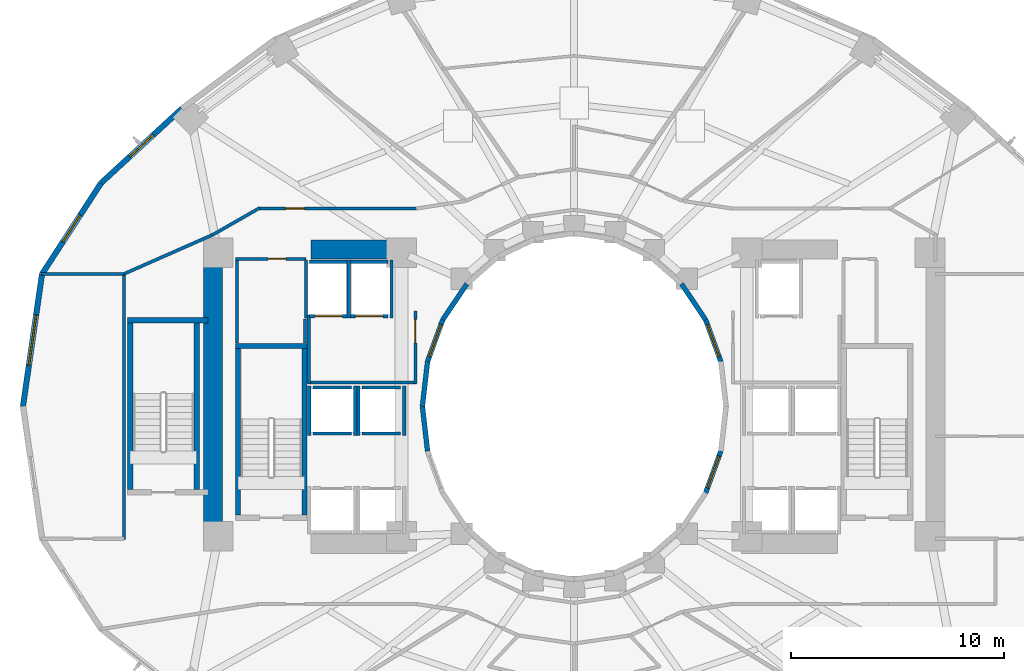
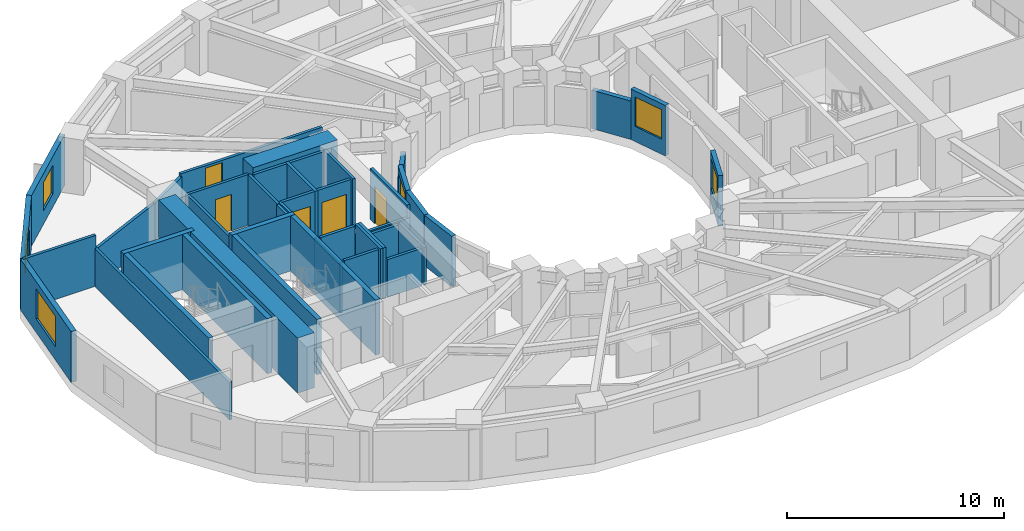
# One storey, part 8 of 14: 44 walls, 6 windows, 5 doors, 11 openings.
"""IFC4 building model written with IfcOpenShell, lengths in metres."""

from ifc_helpers import new_model, si_unit, direction, frame, frame_2d, origin, place, context, subcontext, project, spatial, rectangle, extrude, material, layer, layer_set, type_object, element, fill, save


model = new_model("IFC4")

# Units and contexts
model_context = context("Model", 3, precision=1e-05, world=origin(), true_north=direction((0.0, 1.0)))
body_context = subcontext(model_context, "Body", "Model", "MODEL_VIEW")
ifc_project = project(units=[si_unit("LENGTHUNIT", "METRE"), si_unit("AREAUNIT", "SQUARE_METRE"), si_unit("VOLUMEUNIT", "CUBIC_METRE"), si_unit("PLANEANGLEUNIT", "RADIAN"), si_unit("MASSUNIT", "GRAM", prefix="KILO")], contexts=[model_context])

# Site, building, storey
site_placement = place(None, origin())
site = spatial("IfcSite", under=ifc_project, at=site_placement, CompositionType="ELEMENT")
building_placement = place(site_placement, origin())
building = spatial("IfcBuilding", under=site, at=building_placement, Name="Solvane Sanctuary Tower", CompositionType="ELEMENT")
storey_placement = place(building_placement, frame((0.0, 0.0, 36.89990234375)))
storey = spatial("IfcBuildingStorey", under=building, at=storey_placement, Name="L10", CompositionType="ELEMENT", Elevation=36.89990234375)

# Walls
ifc_material_1 = material(Name="Concrete C70/85", Category="concrete")
ifc_layer_1 = layer(ifc_material_1, 0.89990234375, Name="Concrete C70/85")
ifc_layer_set_1 = layer_set([ifc_layer_1], Name="Concrete C70/85")
wall_type_1 = type_object("IfcWallType", Name="Wall W-CORE-900", PredefinedType="SHEAR", material=ifc_layer_set_1)
wall_1_placement = place(storey_placement, frame((15.050048828125, 17.050048828125, 0.0), z_axis=(0.0, 0.0, 1.0), x_axis=(0.0, 1.0, 0.0)))
element("IfcWall", 1, at=wall_1_placement, inside=storey, type_object=wall_type_1, Name="L10 Core Shear Wall WC-W", PredefinedType="SHEAR", context=body_context, shape_type="SweptSolid", body=[
    extrude(rectangle(XDim=12.800048828125, YDim=0.89990234375, at=frame_2d((6.39990234375, 0.0))), origin(), (0.0, 0.0, 1.0), 3.10009765625),
])
wall_2_placement = place(storey_placement, frame((19.64990234375, 30.35009765625, 0.0), z_axis=(0.0, 0.0, 1.0), x_axis=(1.0, 0.0, 0.0)))
element("IfcWall", 2, at=wall_2_placement, inside=storey, type_object=wall_type_1, Name="L10 Core Shear Wall WC-N", PredefinedType="SHEAR", context=body_context, shape_type="SweptSolid", body=[
    extrude(rectangle(XDim=4.5, YDim=0.89990234375, at=frame_2d((2.25, 0.0))), origin(), (0.0, 0.0, 1.0), 3.10009765625),
])
ifc_material_2 = material(Name="Acoustic Gypsum Partition Board")
ifc_layer_2 = layer(ifc_material_2, 0.14990234375, Name="Acoustic Gypsum Partition Board")
ifc_layer_set_2 = layer_set([ifc_layer_2], Name="Acoustic Gypsum Partition Board")
wall_type_2 = type_object("IfcWallType", Name="Wall W-CORR-150", PredefinedType="PARTITIONING", material=ifc_layer_set_2)
wall_3_placement = place(storey_placement, frame((19.52001953125, 24.1201171875, 0.0), z_axis=(0.0, 0.0, 1.0), x_axis=(1.0, 0.0, 0.0)))
element("IfcWall", 3, at=wall_3_placement, inside=storey, type_object=wall_type_2, Name="L10 West Firefighting Lobby South Wall", PredefinedType="PARTITIONING", context=body_context, shape_type="SweptSolid", body=[
    extrude(rectangle(XDim=5.080078125, YDim=0.14990234375, at=frame_2d((2.5400390625, 0.0))), origin(), (0.0, 0.0, 1.0), 2.1201171875),
])
wall_4_placement = place(storey_placement, frame((19.550048828125, 24.080078125, 0.0), z_axis=(0.0, 0.0, 1.0), x_axis=(0.0, 1.0, 0.0)))
element("IfcWall", 4, at=wall_4_placement, inside=storey, type_object=wall_type_2, Name="L10 West Firefighting Lobby West Wall", PredefinedType="PARTITIONING", context=body_context, shape_type="SweptSolid", body=[
    extrude(rectangle(XDim=3.199951171875, YDim=0.14990234375, at=frame_2d((1.60009765625, 0.0))), origin(), (0.0, 0.0, 1.0), 2.85498046875),
])

# Wall, opening, door
wall_5_placement = place(storey_placement, frame((24.550048828125, 24.080078125, 0.0), z_axis=(0.0, 0.0, 1.0), x_axis=(0.0, 1.0, 0.0)))
wall_5 = element("IfcWall", 5, at=wall_5_placement, inside=storey, type_object=wall_type_2, Name="L10 West Firefighting Lobby East Wall", PredefinedType="PARTITIONING", context=body_context, shape_type="SweptSolid", body=[
    extrude(rectangle(XDim=3.39990234375, YDim=0.14990234375, at=frame_2d((1.699951171875, 0.0))), origin(), (0.0, 0.0, 1.0), 2.85498046875),
])
opening_1_placement = place(wall_5_placement, frame((1.893798828125, 0.0, 0.0)))
opening_1 = element("IfcOpeningElement", 6, at=opening_1_placement, cuts=wall_5, Name="Opening D-L10-04", PredefinedType="OPENING", context=body_context, shape_type="SweptSolid", body=[
    extrude(rectangle(XDim=1.10009765625, YDim=2.10009765625, at=frame_2d((0.550048828125, 1.050048828125))), frame((0.0, 0.0849609375, 0.0), z_axis=(0.0, -1.0, 0.0), x_axis=(1.0, 0.0, 0.0)), (0.0, 0.0, 1.0), 0.169921875),
])
ifc_material_3 = material(Name="Architectural Stainless Steel 316", Category="steel")
door_type_1 = type_object("IfcDoorType", Name="Door D-FFL", OperationType="NOTDEFINED", PredefinedType="DOOR", material=ifc_material_3)
door_1_placement = place(opening_1_placement, origin())
door_1 = element("IfcDoor", 7, at=door_1_placement, inside=storey, type_object=door_type_1, Name="L10 West Firefighting Lobby Fire Door", OperationType="SINGLE_SWING_RIGHT", OverallHeight=2.10009765625, OverallWidth=1.10009765625, PredefinedType="DOOR", context=body_context, shape_type="SweptSolid", body=[
    extrude(rectangle(XDim=1.10009765625, YDim=2.10009765625, at=frame_2d((0.550048828125, 1.050048828125))), frame((0.0, 0.02490234375, 0.0), z_axis=(0.0, -1.0, 0.0), x_axis=(1.0, 0.0, 0.0)), (0.0, 0.0, 1.0), 0.050048828125),
])
fill(opening_1, door_1)

# Walls
wall_6_placement = place(storey_placement, frame((10.8798828125, 16.748291015625, 0.0), z_axis=(0.0, 0.0, 1.0), x_axis=(0.0, 1.0, 0.0)))
element("IfcWall", 8, at=wall_6_placement, inside=storey, type_object=wall_type_2, Name="L10 West Shoulder Back Wall", PredefinedType="PARTITIONING", context=body_context, shape_type="SweptSolid", body=[
    extrude(rectangle(XDim=12.50341796875, YDim=0.14990234375, at=frame_2d((6.251708984375, 0.0))), origin(), (0.0, 0.0, 1.0), 2.1201171875),
])
wall_7_placement = place(storey_placement, frame((7.013671875, 29.211669921875, 0.0), z_axis=(0.0, 0.0, 1.0), x_axis=(1.0, 0.0, 0.0)))
element("IfcWall", 9, at=wall_7_placement, inside=storey, type_object=wall_type_2, Name="L10 West Shoulder North Wall", PredefinedType="PARTITIONING", context=body_context, shape_type="SweptSolid", body=[
    extrude(rectangle(XDim=3.8662109375, YDim=0.14990234375, at=frame_2d((1.93310546875, 0.0))), origin(), (0.0, 0.0, 1.0), 2.85498046875),
])
wall_8_placement = place(storey_placement, frame((10.843505859375, 29.195556640625, 0.0), z_axis=(0.0, 0.0, 1.0), x_axis=(0.91502756289, 0.403391322604, 0.0)))
element("IfcWall", 10, at=wall_8_placement, inside=storey, type_object=wall_type_2, Name="L10 NW Corner Closer 1", PredefinedType="PARTITIONING", context=body_context, shape_type="SweptSolid", body=[
    extrude(rectangle(XDim=4.63720703125, YDim=0.14990234375, at=frame_2d((2.318603515625, 0.0))), origin(), (0.0, 0.0, 1.0), 2.069091796875),
])

# Wall, opening, door
wall_9_placement = place(storey_placement, frame((17.14990234375, 32.280029296875, 0.0), z_axis=(0.0, 0.0, 1.0), x_axis=(1.0, 0.0, 0.0)))
wall_9 = element("IfcWall", 11, at=wall_9_placement, inside=storey, type_object=wall_type_2, Name="L10 NW Corner Corridor Wall", PredefinedType="PARTITIONING", context=body_context, shape_type="SweptSolid", body=[
    extrude(rectangle(XDim=7.52001953125, YDim=0.14990234375, at=frame_2d((3.760009765625, 0.0))), origin(), (0.0, 0.0, 1.0), 2.237060546875),
])
opening_2_placement = place(wall_9_placement, frame((1.300048828125, 0.0, 0.0)))
opening_2 = element("IfcOpeningElement", 12, at=opening_2_placement, cuts=wall_9, Name="Opening D-L10-13", PredefinedType="OPENING", context=body_context, shape_type="SweptSolid", body=[
    extrude(rectangle(XDim=0.89990234375, YDim=2.10009765625, at=frame_2d((0.449951171875, 1.050048828125))), frame((0.0, 0.0849609375, 0.0), z_axis=(0.0, -1.0, 0.0), x_axis=(1.0, 0.0, 0.0)), (0.0, 0.0, 1.0), 0.169921875),
])
ifc_material_4 = material(Name="Engineered Tropical Hardwood", Category="wood")
door_type_2 = type_object("IfcDoorType", Name="Door D-WET-900", OperationType="NOTDEFINED", PredefinedType="DOOR", material=ifc_material_4)
door_2_placement = place(opening_2_placement, origin())
door_2 = element("IfcDoor", 13, at=door_2_placement, inside=storey, type_object=door_type_2, Name="L10 NW Corner Salon Door", OperationType="SINGLE_SWING_LEFT", OverallHeight=2.10009765625, OverallWidth=0.89990234375, PredefinedType="DOOR", context=body_context, shape_type="SweptSolid", body=[
    extrude(rectangle(XDim=0.89990234375, YDim=2.10009765625, at=frame_2d((0.449951171875, 1.050048828125))), frame((0.0, 0.02490234375, 0.0), z_axis=(0.0, -1.0, 0.0), x_axis=(1.0, 0.0, 0.0)), (0.0, 0.0, 1.0), 0.050048828125),
])
fill(opening_2, door_2)

# Wall
wall_10_placement = place(storey_placement, frame((17.243408203125, 32.3046875, 0.0), z_axis=(0.0, 0.0, 1.0), x_axis=(-0.867991349648, -0.496579315857, 0.0)))
element("IfcWall", 14, at=wall_10_placement, inside=storey, type_object=wall_type_2, Name="L10 NW Corner Wing Wall", PredefinedType="PARTITIONING", context=body_context, shape_type="SweptSolid", body=[
    extrude(rectangle(XDim=2.56689453125, YDim=0.14990234375, at=frame_2d((1.283447265625, 0.0))), origin(), (0.0, 0.0, 1.0), 2.069091796875),
])

# Wall, opening, window
ifc_material_5 = material(Name="Precast concrete C40/50", Category="concrete")
ifc_layer_3 = layer(ifc_material_5, 0.260009765625, Name="Precast concrete C40/50")
ifc_layer_set_3 = layer_set([ifc_layer_3], Name="Precast concrete C40/50")
wall_type_3 = type_object("IfcWallType", Name="Wall W-EXT-250", PredefinedType="STANDARD", material=ifc_layer_set_3)
wall_11_placement = place(storey_placement, frame((13.595458984375, 36.964599609375, 0.0), z_axis=(0.0, 0.0, 1.0), x_axis=(-0.735655109293, -0.67735630223, 0.0)))
wall_11 = element("IfcWall", 15, at=wall_11_placement, inside=storey, type_object=wall_type_3, Name="L10 Ceramic-Printed Facade Wall 09", PredefinedType="STANDARD", context=body_context, shape_type="SweptSolid", body=[
    extrude(rectangle(XDim=5.15087890625, YDim=0.260009765625, at=frame_2d((2.575439453125, 0.0))), origin(), (0.0, 0.0, 1.0), 2.85009765625),
])
opening_3_placement = place(wall_11_placement, frame((1.825439453125, 0.0, 0.75)))
opening_3 = element("IfcOpeningElement", 16, at=opening_3_placement, cuts=wall_11, Name="Opening WN-OPER-1500", PredefinedType="OPENING", context=body_context, shape_type="SweptSolid", body=[
    extrude(rectangle(XDim=1.5, YDim=1.60009765625, at=frame_2d((0.75, 0.800048828125))), frame((0.0, 0.139892578125, 0.0), z_axis=(0.0, -1.0, 0.0), x_axis=(1.0, 0.0, 0.0)), (0.0, 0.0, 1.0), 0.280029296875),
])
ifc_material_6 = material(Name="Dark Ceramic-Fritted Low-E Glass", Category="glass")
window_type_1 = type_object("IfcWindowType", Name="Window WN-OPER-1500", PartitioningType="SINGLE_PANEL", PredefinedType="WINDOW", material=ifc_material_6)
window_1_placement = place(opening_3_placement, origin())
window_1 = element("IfcWindow", 17, at=window_1_placement, inside=storey, type_object=window_type_1, Name="L10 Operable Facade Window 09", OverallHeight=1.60009765625, OverallWidth=1.5, PartitioningType="SINGLE_PANEL", PredefinedType="WINDOW", context=body_context, shape_type="SweptSolid", body=[
    extrude(rectangle(XDim=1.5, YDim=1.60009765625, at=frame_2d((0.75, 0.800048828125))), frame((0.0, 0.030029296875, 0.0), z_axis=(0.0, -1.0, 0.0), x_axis=(1.0, 0.0, 0.0)), (0.0, 0.0, 1.0), 0.06005859375),
])
fill(opening_3, window_1)

wall_12_placement = place(storey_placement, frame((9.80615234375, 33.4755859375, 0.0), z_axis=(0.0, 0.0, 1.0), x_axis=(-0.544578722263, -0.838709732421, 0.0)))
wall_12 = element("IfcWall", 18, at=wall_12_placement, inside=storey, type_object=wall_type_3, Name="L10 Ceramic-Printed Facade Wall 10", PredefinedType="STANDARD", context=body_context, shape_type="SweptSolid", body=[
    extrude(rectangle(XDim=5.091552734375, YDim=0.260009765625, at=frame_2d((2.5458984375, 0.0))), origin(), (0.0, 0.0, 1.0), 2.85009765625),
])
opening_4_placement = place(wall_12_placement, frame((1.795654296875, 0.0, 0.75)))
opening_4 = element("IfcOpeningElement", 19, at=opening_4_placement, cuts=wall_12, Name="Opening WN-OPER-1500", PredefinedType="OPENING", context=body_context, shape_type="SweptSolid", body=[
    extrude(rectangle(XDim=1.5, YDim=1.60009765625, at=frame_2d((0.75, 0.800048828125))), frame((0.0, 0.139892578125, 0.0), z_axis=(0.0, -1.0, 0.0), x_axis=(1.0, 0.0, 0.0)), (0.0, 0.0, 1.0), 0.280029296875),
])
window_2_placement = place(opening_4_placement, origin())
window_2 = element("IfcWindow", 20, at=window_2_placement, inside=storey, type_object=window_type_1, Name="L10 Operable Facade Window 10", OverallHeight=1.60009765625, OverallWidth=1.5, PartitioningType="SINGLE_PANEL", PredefinedType="WINDOW", context=body_context, shape_type="SweptSolid", body=[
    extrude(rectangle(XDim=1.5, YDim=1.60009765625, at=frame_2d((0.75, 0.800048828125))), frame((0.0, 0.030029296875, 0.0), z_axis=(0.0, -1.0, 0.0), x_axis=(1.0, 0.0, 0.0)), (0.0, 0.0, 1.0), 0.06005859375),
])
fill(opening_4, window_2)

wall_13_placement = place(storey_placement, frame((7.033447265625, 29.205322265625, 0.0), z_axis=(0.0, 0.0, 1.0), x_axis=(-0.142528001686, -0.989790770181, 0.0)))
wall_13 = element("IfcWall", 21, at=wall_13_placement, inside=storey, type_object=wall_type_3, Name="L10 Ceramic-Printed Facade Wall 11", PredefinedType="STANDARD", context=body_context, shape_type="SweptSolid", body=[
    extrude(rectangle(XDim=6.269287109375, YDim=0.260009765625, at=frame_2d((3.134765625, 0.0))), origin(), (0.0, 0.0, 1.0), 2.85009765625),
])
opening_5_placement = place(wall_13_placement, frame((1.9345703125, 0.0, 0.75)))
opening_5 = element("IfcOpeningElement", 22, at=opening_5_placement, cuts=wall_13, Name="Opening WN-RIB-2400", PredefinedType="OPENING", context=body_context, shape_type="SweptSolid", body=[
    extrude(rectangle(XDim=2.39990234375, YDim=1.699951171875, at=frame_2d((1.199951171875, 0.85009765625))), frame((0.0, 0.139892578125, 0.0), z_axis=(0.0, -1.0, 0.0), x_axis=(1.0, 0.0, 0.0)), (0.0, 0.0, 1.0), 0.280029296875),
])
window_type_2 = type_object("IfcWindowType", Name="Window WN-RIB-2400", PartitioningType="SINGLE_PANEL", PredefinedType="WINDOW", material=ifc_material_6)
window_3_placement = place(opening_5_placement, origin())
window_3 = element("IfcWindow", 23, at=window_3_placement, inside=storey, type_object=window_type_2, Name="L10 Operable Facade Window 11", OverallHeight=1.699951171875, OverallWidth=2.39990234375, PartitioningType="SINGLE_PANEL", PredefinedType="WINDOW", context=body_context, shape_type="SweptSolid", body=[
    extrude(rectangle(XDim=2.39990234375, YDim=1.699951171875, at=frame_2d((1.199951171875, 0.85009765625))), frame((0.0, 0.030029296875, 0.0), z_axis=(0.0, -1.0, 0.0), x_axis=(1.0, 0.0, 0.0)), (0.0, 0.0, 1.0), 0.06005859375),
])
fill(opening_5, window_3)

ifc_layer_4 = layer(ifc_material_5, 0.22998046875, Name="Precast concrete C40/50")
ifc_layer_set_4 = layer_set([ifc_layer_4], Name="Precast concrete C40/50")
wall_type_4 = type_object("IfcWallType", Name="Wall W-EXT-SP220", PredefinedType="STANDARD", material=ifc_layer_set_4)
wall_14_placement = place(storey_placement, frame((38.87744140625, 25.1015625, 0.0), z_axis=(0.0, 0.0, 1.0), x_axis=(-0.341423187295, 0.93990968033, 0.0)))
wall_14 = element("IfcWall", 24, at=wall_14_placement, inside=storey, type_object=wall_type_4, Name="L10 Central Light-Well Wall 01", PredefinedType="STANDARD", context=body_context, shape_type="SweptSolid", body=[
    extrude(rectangle(XDim=2.083740234375, YDim=0.22998046875, at=frame_2d((1.0419921875, 0.0))), origin(), (0.0, 0.0, 1.0), 2.840087890625),
])
opening_6_placement = place(wall_14_placement, frame((0.24169921875, 0.0, 0.85009765625)))
opening_6 = element("IfcOpeningElement", 25, at=opening_6_placement, cuts=wall_14, Name="Opening WN-WELL-1600", PredefinedType="OPENING", context=body_context, shape_type="SweptSolid", body=[
    extrude(rectangle(XDim=1.60009765625, YDim=1.64990234375, at=frame_2d((0.800048828125, 0.824951171875))), frame((0.0, 0.125, 0.0), z_axis=(0.0, -1.0, 0.0), x_axis=(1.0, 0.0, 0.0)), (0.0, 0.0, 1.0), 0.25),
])
ifc_material_7 = material(Name="Clear Laminated Light-Well Glass", Category="glass")
window_type_3 = type_object("IfcWindowType", Name="Window WN-WELL-1600", PartitioningType="SINGLE_PANEL", PredefinedType="WINDOW", material=ifc_material_7)
window_4_placement = place(opening_6_placement, origin())
window_4 = element("IfcWindow", 26, at=window_4_placement, inside=storey, type_object=window_type_3, Name="L10 Light-Well Daylight Window 01", OverallHeight=1.64990234375, OverallWidth=1.60009765625, PartitioningType="SINGLE_PANEL", PredefinedType="WINDOW", context=body_context, shape_type="SweptSolid", body=[
    extrude(rectangle(XDim=1.60009765625, YDim=1.64990234375, at=frame_2d((0.800048828125, 0.824951171875))), frame((0.0, 0.030029296875, 0.0), z_axis=(0.0, -1.0, 0.0), x_axis=(1.0, 0.0, 0.0)), (0.0, 0.0, 1.0), 0.06005859375),
])
fill(opening_6, window_4)

# Walls
for number, where, z_axis, x_axis, name in (
    (27, (38.166015625, 27.06005859375, 0.0), (0.0, 0.0, 1.0), (-0.558197800898, 0.829707909492, 0.0), "L10 Central Light-Well Wall 02"),
    (28, (26.96533203125, 28.74169921875, 0.0), (0.0, 0.0, 1.0), (-0.558197800898, -0.829707909492, 0.0), "L10 Central Light-Well Wall 09"),
):
    element("IfcWall", number, at=place(storey_placement, frame(where, z_axis=z_axis, x_axis=x_axis)), inside=storey, type_object=wall_type_4, Name=name, PredefinedType="STANDARD", context=body_context, shape_type="SweptSolid", body=[
        extrude(rectangle(XDim=2.02685546875, YDim=0.22998046875, at=frame_2d((1.013427734375, 0.0))), origin(), (0.0, 0.0, 1.0), 2.16015625),
    ])

# Wall, opening, window
wall_15_placement = place(storey_placement, frame((25.833984375, 27.06005859375, 0.0), z_axis=(0.0, 0.0, 1.0), x_axis=(-0.341423187295, -0.93990968033, 0.0)))
wall_15 = element("IfcWall", 29, at=wall_15_placement, inside=storey, type_object=wall_type_4, Name="L10 Central Light-Well Wall 10", PredefinedType="STANDARD", context=body_context, shape_type="SweptSolid", body=[
    extrude(rectangle(XDim=2.083740234375, YDim=0.22998046875, at=frame_2d((1.0419921875, 0.0))), origin(), (0.0, 0.0, 1.0), 2.840087890625),
])
opening_7_placement = place(wall_15_placement, frame((0.24169921875, 0.0, 0.85009765625)))
opening_7 = element("IfcOpeningElement", 30, at=opening_7_placement, cuts=wall_15, Name="Opening WN-WELL-1600", PredefinedType="OPENING", context=body_context, shape_type="SweptSolid", body=[
    extrude(rectangle(XDim=1.60009765625, YDim=1.64990234375, at=frame_2d((0.800048828125, 0.824951171875))), frame((0.0, 0.125, 0.0), z_axis=(0.0, -1.0, 0.0), x_axis=(1.0, 0.0, 0.0)), (0.0, 0.0, 1.0), 0.25),
])
window_5_placement = place(opening_7_placement, origin())
window_5 = element("IfcWindow", 31, at=window_5_placement, inside=storey, type_object=window_type_3, Name="L10 Light-Well Daylight Window 10", OverallHeight=1.64990234375, OverallWidth=1.60009765625, PartitioningType="SINGLE_PANEL", PredefinedType="WINDOW", context=body_context, shape_type="SweptSolid", body=[
    extrude(rectangle(XDim=1.60009765625, YDim=1.64990234375, at=frame_2d((0.800048828125, 0.824951171875))), frame((0.0, 0.030029296875, 0.0), z_axis=(0.0, -1.0, 0.0), x_axis=(1.0, 0.0, 0.0)), (0.0, 0.0, 1.0), 0.06005859375),
])
fill(opening_7, window_5)

# Walls
for number, where, z_axis, x_axis, name in (
    (32, (25.12255859375, 25.1015625, 0.0), (0.0, 0.0, 1.0), (-0.114711713601, -0.993398823617, 0.0), "L10 Central Light-Well Wall 11"),
    (33, (24.8798828125, 23.0, 0.0), (0.0, 0.0, 1.0), (0.114711713601, -0.993398823617, 0.0), "L10 Central Light-Well Wall 12"),
):
    element("IfcWall", number, at=place(storey_placement, frame(where, z_axis=z_axis, x_axis=x_axis)), inside=storey, type_object=wall_type_4, Name=name, PredefinedType="STANDARD", context=body_context, shape_type="SweptSolid", body=[
        extrude(rectangle(XDim=2.115478515625, YDim=0.22998046875, at=frame_2d((1.0576171875, 0.0))), origin(), (0.0, 0.0, 1.0), 2.840087890625),
    ])

# Wall, opening, window
wall_16_placement = place(storey_placement, frame((38.166015625, 18.93994140625, 0.0), z_axis=(0.0, 0.0, 1.0), x_axis=(0.341423187295, 0.93990968033, 0.0)))
wall_16 = element("IfcWall", 34, at=wall_16_placement, inside=storey, type_object=wall_type_4, Name="L10 Central Light-Well Wall 22", PredefinedType="STANDARD", context=body_context, shape_type="SweptSolid", body=[
    extrude(rectangle(XDim=2.083740234375, YDim=0.22998046875, at=frame_2d((1.0419921875, 0.0))), origin(), (0.0, 0.0, 1.0), 2.840087890625),
])
opening_8_placement = place(wall_16_placement, frame((0.24169921875, 0.0, 0.85009765625)))
opening_8 = element("IfcOpeningElement", 35, at=opening_8_placement, cuts=wall_16, Name="Opening WN-WELL-1600", PredefinedType="OPENING", context=body_context, shape_type="SweptSolid", body=[
    extrude(rectangle(XDim=1.60009765625, YDim=1.64990234375, at=frame_2d((0.800048828125, 0.824951171875))), frame((0.0, 0.125, 0.0), z_axis=(0.0, -1.0, 0.0), x_axis=(1.0, 0.0, 0.0)), (0.0, 0.0, 1.0), 0.25),
])
window_6_placement = place(opening_8_placement, origin())
window_6 = element("IfcWindow", 36, at=window_6_placement, inside=storey, type_object=window_type_3, Name="L10 Light-Well Daylight Window 22", OverallHeight=1.64990234375, OverallWidth=1.60009765625, PartitioningType="SINGLE_PANEL", PredefinedType="WINDOW", context=body_context, shape_type="SweptSolid", body=[
    extrude(rectangle(XDim=1.60009765625, YDim=1.64990234375, at=frame_2d((0.800048828125, 0.824951171875))), frame((0.0, 0.030029296875, 0.0), z_axis=(0.0, -1.0, 0.0), x_axis=(1.0, 0.0, 0.0)), (0.0, 0.0, 1.0), 0.06005859375),
])
fill(opening_8, window_6)

# Walls
ifc_material_8 = material(Name="Concrete C50/60", Category="concrete")
ifc_layer_5 = layer(ifc_material_8, 0.14990234375, Name="Concrete C50/60")
ifc_layer_set_5 = layer_set([ifc_layer_5], Name="Concrete C50/60")
wall_type_5 = type_object("IfcWallType", Name="Wall W-SHAFT-150", PredefinedType="SOLIDWALL", material=ifc_layer_set_5)
for number, where, z_axis, x_axis, name in (
    (37, (19.739990234375, 21.719970703125, 0.0), (0.0, 0.0, 1.0), (1.0, 0.0, 0.0), "L10 PM-1 Lift Shaft Wall F"),
    (38, (19.739990234375, 23.8798828125, 0.0), (0.0, 0.0, 1.0), (1.0, 0.0, 0.0), "L10 PM-1 Lift Shaft Wall B"),
):
    element("IfcWall", number, at=place(storey_placement, frame(where, z_axis=z_axis, x_axis=x_axis)), inside=storey, type_object=wall_type_5, Name=name, PredefinedType="SOLIDWALL", context=body_context, shape_type="SweptSolid", body=[
        extrude(rectangle(XDim=1.820068359375, YDim=0.14990234375, at=frame_2d((0.91015625, 0.0))), origin(), (0.0, 0.0, 1.0), 2.85498046875),
    ])
for number, where, z_axis, x_axis, name in (
    (39, (19.570068359375, 21.639892578125, 0.0), (0.0, 0.0, 1.0), (0.0, 1.0, 0.0), "L10 PM-1 Lift Shaft Wall S1"),
    (40, (21.72998046875, 21.639892578125, 0.0), (0.0, 0.0, 1.0), (0.0, 1.0, 0.0), "L10 PM-1 Lift Shaft Wall S2"),
):
    element("IfcWall", number, at=place(storey_placement, frame(where, z_axis=z_axis, x_axis=x_axis)), inside=storey, type_object=wall_type_5, Name=name, PredefinedType="SOLIDWALL", context=body_context, shape_type="SweptSolid", body=[
        extrude(rectangle(XDim=2.320068359375, YDim=0.14990234375, at=frame_2d((1.16015625, 0.0))), origin(), (0.0, 0.0, 1.0), 2.85498046875),
    ])
for number, where, z_axis, x_axis, name in (
    (41, (22.0400390625, 21.719970703125, 0.0), (0.0, 0.0, 1.0), (1.0, 0.0, 0.0), "L10 PH-1 Lift Shaft Wall F"),
    (42, (22.0400390625, 23.8798828125, 0.0), (0.0, 0.0, 1.0), (1.0, 0.0, 0.0), "L10 PH-1 Lift Shaft Wall B"),
):
    element("IfcWall", number, at=place(storey_placement, frame(where, z_axis=z_axis, x_axis=x_axis)), inside=storey, type_object=wall_type_5, Name=name, PredefinedType="SOLIDWALL", context=body_context, shape_type="SweptSolid", body=[
        extrude(rectangle(XDim=1.820068359375, YDim=0.14990234375, at=frame_2d((0.91015625, 0.0))), origin(), (0.0, 0.0, 1.0), 2.1201171875),
    ])
wall_17_placement = place(storey_placement, frame((21.8701171875, 21.639892578125, 0.0), z_axis=(0.0, 0.0, 1.0), x_axis=(0.0, 1.0, 0.0)))
element("IfcWall", 43, at=wall_17_placement, inside=storey, type_object=wall_type_5, Name="L10 PH-1 Lift Shaft Wall S1", PredefinedType="SOLIDWALL", context=body_context, shape_type="SweptSolid", body=[
    extrude(rectangle(XDim=2.320068359375, YDim=0.14990234375, at=frame_2d((1.16015625, 0.0))), origin(), (0.0, 0.0, 1.0), 2.85498046875),
])
wall_18_placement = place(storey_placement, frame((24.030029296875, 21.639892578125, 0.0), z_axis=(0.0, 0.0, 1.0), x_axis=(0.0, 1.0, 0.0)))
element("IfcWall", 44, at=wall_18_placement, inside=storey, type_object=wall_type_5, Name="L10 PH-1 Lift Shaft Wall S2", PredefinedType="SOLIDWALL", context=body_context, shape_type="SweptSolid", body=[
    extrude(rectangle(XDim=2.320068359375, YDim=0.14990234375, at=frame_2d((1.16015625, 0.0))), origin(), (0.0, 0.0, 1.0), 2.1201171875),
])

# Wall, opening, door
wall_19_placement = place(storey_placement, frame((19.590087890625, 27.219970703125, 0.0), z_axis=(0.0, 0.0, 1.0), x_axis=(1.0, 0.0, 0.0)))
wall_19 = element("IfcWall", 45, at=wall_19_placement, inside=storey, type_object=wall_type_5, Name="L10 FFL-1 Lift Shaft Wall F", PredefinedType="SOLIDWALL", context=body_context, shape_type="SweptSolid", body=[
    extrude(rectangle(XDim=1.760009765625, YDim=0.14990234375, at=frame_2d((0.8798828125, 0.0))), origin(), (0.0, 0.0, 1.0), 2.85498046875),
])
opening_9_placement = place(wall_19_placement, frame((0.22998046875, 0.0, 0.0)))
opening_9 = element("IfcOpeningElement", 46, at=opening_9_placement, cuts=wall_19, Name="Opening LD-L10-05", PredefinedType="OPENING", context=body_context, shape_type="SweptSolid", body=[
    extrude(rectangle(XDim=1.300048828125, YDim=2.10009765625, at=frame_2d((0.64990234375, 1.050048828125))), frame((0.0, 0.0849609375, 0.0), z_axis=(0.0, -1.0, 0.0), x_axis=(1.0, 0.0, 0.0)), (0.0, 0.0, 1.0), 0.169921875),
])
door_type_3 = type_object("IfcDoorType", Name="Door LD-FFL-1300", OperationType="NOTDEFINED", PredefinedType="DOOR", material=ifc_material_3)
door_3_placement = place(opening_9_placement, origin())
door_3 = element("IfcDoor", 47, at=door_3_placement, inside=storey, type_object=door_type_3, Name="L10 FFL-1 Lift Landing Door", OperationType="DOUBLE_DOOR_SLIDING", OverallHeight=2.10009765625, OverallWidth=1.300048828125, PredefinedType="DOOR", context=body_context, shape_type="SweptSolid", body=[
    extrude(rectangle(XDim=1.300048828125, YDim=2.10009765625, at=frame_2d((0.64990234375, 1.050048828125))), frame((0.0, 0.02490234375, 0.0), z_axis=(0.0, -1.0, 0.0), x_axis=(1.0, 0.0, 0.0)), (0.0, 0.0, 1.0), 0.050048828125),
])
fill(opening_9, door_3)

# Walls
wall_20_placement = place(storey_placement, frame((19.590087890625, 29.780029296875, 0.0), z_axis=(0.0, 0.0, 1.0), x_axis=(1.0, 0.0, 0.0)))
element("IfcWall", 48, at=wall_20_placement, inside=storey, type_object=wall_type_5, Name="L10 FFL-1 Lift Shaft Wall B", PredefinedType="SOLIDWALL", context=body_context, shape_type="SweptSolid", body=[
    extrude(rectangle(XDim=1.760009765625, YDim=0.14990234375, at=frame_2d((0.8798828125, 0.0))), origin(), (0.0, 0.0, 1.0), 2.85498046875),
])
for number, where, z_axis, x_axis, name in (
    (49, (19.419921875, 27.139892578125, 0.0), (0.0, 0.0, 1.0), (0.0, 1.0, 0.0), "L10 FFL-1 Lift Shaft Wall S1"),
    (50, (21.425048828125, 27.139892578125, 0.0), (0.0, 0.0, 1.0), (0.0, 1.0, 0.0), "L10 FFL-1 Lift Shaft Wall S2"),
):
    element("IfcWall", number, at=place(storey_placement, frame(where, z_axis=z_axis, x_axis=x_axis)), inside=storey, type_object=wall_type_5, Name=name, PredefinedType="SOLIDWALL", context=body_context, shape_type="SweptSolid", body=[
        extrude(rectangle(XDim=2.72021484375, YDim=0.14990234375, at=frame_2d((1.360107421875, 0.0))), origin(), (0.0, 0.0, 1.0), 2.85498046875),
    ])

# Wall, opening, door
wall_21_placement = place(storey_placement, frame((21.5, 27.219970703125, 0.0), z_axis=(0.0, 0.0, 1.0), x_axis=(1.0, 0.0, 0.0)))
wall_21 = element("IfcWall", 51, at=wall_21_placement, inside=storey, type_object=wall_type_5, Name="L10 SVL-1 Lift Shaft Wall F", PredefinedType="SOLIDWALL", context=body_context, shape_type="SweptSolid", body=[
    extrude(rectangle(XDim=1.760009765625, YDim=0.14990234375, at=frame_2d((0.8798828125, 0.0))), origin(), (0.0, 0.0, 1.0), 2.85498046875),
])
opening_10_placement = place(wall_21_placement, frame((0.22998046875, 0.0, 0.0)))
opening_10 = element("IfcOpeningElement", 52, at=opening_10_placement, cuts=wall_21, Name="Opening LD-L10-06", PredefinedType="OPENING", context=body_context, shape_type="SweptSolid", body=[
    extrude(rectangle(XDim=1.300048828125, YDim=2.10009765625, at=frame_2d((0.64990234375, 1.050048828125))), frame((0.0, 0.0849609375, 0.0), z_axis=(0.0, -1.0, 0.0), x_axis=(1.0, 0.0, 0.0)), (0.0, 0.0, 1.0), 0.169921875),
])
door_4_placement = place(opening_10_placement, origin())
door_4 = element("IfcDoor", 53, at=door_4_placement, inside=storey, type_object=door_type_3, Name="L10 SVL-1 Lift Landing Door", OperationType="DOUBLE_DOOR_SLIDING", OverallHeight=2.10009765625, OverallWidth=1.300048828125, PredefinedType="DOOR", context=body_context, shape_type="SweptSolid", body=[
    extrude(rectangle(XDim=1.300048828125, YDim=2.10009765625, at=frame_2d((0.64990234375, 1.050048828125))), frame((0.0, 0.02490234375, 0.0), z_axis=(0.0, -1.0, 0.0), x_axis=(1.0, 0.0, 0.0)), (0.0, 0.0, 1.0), 0.050048828125),
])
fill(opening_10, door_4)

# Walls
wall_22_placement = place(storey_placement, frame((21.5, 29.780029296875, 0.0), z_axis=(0.0, 0.0, 1.0), x_axis=(1.0, 0.0, 0.0)))
element("IfcWall", 54, at=wall_22_placement, inside=storey, type_object=wall_type_5, Name="L10 SVL-1 Lift Shaft Wall B", PredefinedType="SOLIDWALL", context=body_context, shape_type="SweptSolid", body=[
    extrude(rectangle(XDim=1.760009765625, YDim=0.14990234375, at=frame_2d((0.8798828125, 0.0))), origin(), (0.0, 0.0, 1.0), 2.85498046875),
])
wall_23_placement = place(storey_placement, frame((23.429931640625, 27.139892578125, 0.0), z_axis=(0.0, 0.0, 1.0), x_axis=(0.0, 1.0, 0.0)))
element("IfcWall", 55, at=wall_23_placement, inside=storey, type_object=wall_type_5, Name="L10 SVL-1 Lift Shaft Wall S2", PredefinedType="SOLIDWALL", context=body_context, shape_type="SweptSolid", body=[
    extrude(rectangle(XDim=2.72021484375, YDim=0.14990234375, at=frame_2d((1.360107421875, 0.0))), origin(), (0.0, 0.0, 1.0), 2.85498046875),
])
ifc_layer_6 = layer(ifc_material_8, 0.25, Name="Concrete C50/60")
ifc_layer_set_6 = layer_set([ifc_layer_6], Name="Concrete C50/60")
wall_type_6 = type_object("IfcWallType", Name="Wall W-SHAFT-250", PredefinedType="SOLIDWALL", material=ifc_layer_set_6)
wall_24_placement = place(storey_placement, frame((16.10498046875, 25.830078125, 0.0), z_axis=(0.0, 0.0, 1.0), x_axis=(1.0, 0.0, 0.0)))
element("IfcWall", 56, at=wall_24_placement, inside=storey, type_object=wall_type_6, Name="L10 ST-1 Load-Bearing Shaft Wall N", PredefinedType="SOLIDWALL", context=body_context, shape_type="SweptSolid", body=[
    extrude(rectangle(XDim=3.3701171875, YDim=0.25, at=frame_2d((1.68505859375, 0.0))), origin(), (0.0, 0.0, 1.0), 3.10009765625),
])
for number, where, z_axis, x_axis, name in (
    (57, (16.22998046875, 17.89501953125, 0.0), (0.0, 0.0, 1.0), (0.0, 1.0, 0.0), "L10 ST-1 Load-Bearing Shaft Wall W"),
    (58, (19.35009765625, 17.89501953125, 0.0), (0.0, 0.0, 1.0), (0.0, 1.0, 0.0), "L10 ST-1 Load-Bearing Shaft Wall E"),
):
    element("IfcWall", number, at=place(storey_placement, frame(where, z_axis=z_axis, x_axis=x_axis)), inside=storey, type_object=wall_type_6, Name=name, PredefinedType="SOLIDWALL", context=body_context, shape_type="SweptSolid", body=[
        extrude(rectangle(XDim=7.81005859375, YDim=0.25, at=frame_2d((3.905029296875, 0.0))), origin(), (0.0, 0.0, 1.0), 3.10009765625),
    ])
wall_25_placement = place(storey_placement, frame((11.044921875, 27.030029296875, 0.0), z_axis=(0.0, 0.0, 1.0), x_axis=(1.0, 0.0, 0.0)))
element("IfcWall", 59, at=wall_25_placement, inside=storey, type_object=wall_type_6, Name="L10 ST-3 Load-Bearing Shaft Wall N", PredefinedType="SOLIDWALL", context=body_context, shape_type="SweptSolid", body=[
    extrude(rectangle(XDim=3.781982421875, YDim=0.25, at=frame_2d((1.89111328125, 0.0))), origin(), (0.0, 0.0, 1.0), 3.10009765625),
])
for number, where, z_axis, x_axis, name in (
    (60, (11.169921875, 19.094970703125, 0.0), (0.0, 0.0, 1.0), (0.0, 1.0, 0.0), "L10 ST-3 Load-Bearing Shaft Wall W"),
    (61, (14.2900390625, 19.094970703125, 0.0), (0.0, 0.0, 1.0), (0.0, 1.0, 0.0), "L10 ST-3 Load-Bearing Shaft Wall E"),
):
    element("IfcWall", number, at=place(storey_placement, frame(where, z_axis=z_axis, x_axis=x_axis)), inside=storey, type_object=wall_type_6, Name=name, PredefinedType="SOLIDWALL", context=body_context, shape_type="SweptSolid", body=[
        extrude(rectangle(XDim=7.81005859375, YDim=0.25, at=frame_2d((3.905029296875, 0.0))), origin(), (0.0, 0.0, 1.0), 3.10009765625),
    ])

# Wall, opening, door
ifc_layer_7 = layer(ifc_material_2, 0.139892578125, Name="Acoustic Gypsum Partition Board")
ifc_layer_set_7 = layer_set([ifc_layer_7], Name="Acoustic Gypsum Partition Board")
wall_type_7 = type_object("IfcWallType", Name="Wall W-WET-140", PredefinedType="PLUMBINGWALL", material=ifc_layer_set_7)
wall_26_placement = place(storey_placement, frame((16.1201171875, 29.919921875, 0.0), z_axis=(0.0, 0.0, 1.0), x_axis=(1.0, 0.0, 0.0)))
wall_26 = element("IfcWall", 62, at=wall_26_placement, inside=storey, type_object=wall_type_7, Name="L10 Core Service Front Wall KW0", PredefinedType="PLUMBINGWALL", context=body_context, shape_type="SweptSolid", body=[
    extrude(rectangle(XDim=3.2998046875, YDim=0.139892578125, at=frame_2d((1.64990234375, 0.0))), origin(), (0.0, 0.0, 1.0), 2.85498046875),
])
opening_11_placement = place(wall_26_placement, frame((1.515869140625, 0.0, 0.0)))
opening_11 = element("IfcOpeningElement", 63, at=opening_11_placement, cuts=wall_26, Name="Opening D-L10-06", PredefinedType="OPENING", context=body_context, shape_type="SweptSolid", body=[
    extrude(rectangle(XDim=0.85009765625, YDim=2.050048828125, at=frame_2d((0.425048828125, 1.02490234375))), frame((0.0, 0.079833984375, 0.0), z_axis=(0.0, -1.0, 0.0), x_axis=(1.0, 0.0, 0.0)), (0.0, 0.0, 1.0), 0.159912109375),
])
door_type_4 = type_object("IfcDoorType", Name="Door D-RISER", OperationType="NOTDEFINED", PredefinedType="DOOR", material=ifc_material_3)
door_5_placement = place(opening_11_placement, origin())
door_5 = element("IfcDoor", 64, at=door_5_placement, inside=storey, type_object=door_type_4, Name="L10 Core Service Room Door KW0-1", OperationType="SINGLE_SWING_RIGHT", OverallHeight=2.050048828125, OverallWidth=0.85009765625, PredefinedType="DOOR", context=body_context, shape_type="SweptSolid", body=[
    extrude(rectangle(XDim=0.85009765625, YDim=2.050048828125, at=frame_2d((0.425048828125, 1.02490234375))), frame((0.0, 0.02490234375, 0.0), z_axis=(0.0, -1.0, 0.0), x_axis=(1.0, 0.0, 0.0)), (0.0, 0.0, 1.0), 0.050048828125),
])
fill(opening_11, door_5)

# Walls
wall_27_placement = place(storey_placement, frame((16.179931640625, 25.97998046875, 0.0), z_axis=(0.0, 0.0, 1.0), x_axis=(0.0, 1.0, 0.0)))
element("IfcWall", 65, at=wall_27_placement, inside=storey, type_object=wall_type_7, Name="L10 Core Service Side Wall KW0-1", PredefinedType="PLUMBINGWALL", context=body_context, shape_type="SweptSolid", body=[
    extrude(rectangle(XDim=3.880126953125, YDim=0.139892578125, at=frame_2d((1.93994140625, 0.0))), origin(), (0.0, 0.0, 1.0), 2.85498046875),
])
wall_28_placement = place(storey_placement, frame((19.360107421875, 25.97998046875, 0.0), z_axis=(0.0, 0.0, 1.0), x_axis=(0.0, 1.0, 0.0)))
element("IfcWall", 66, at=wall_28_placement, inside=storey, type_object=wall_type_7, Name="L10 Core Service Side Wall KW0-2", PredefinedType="PLUMBINGWALL", context=body_context, shape_type="SweptSolid", body=[
    extrude(rectangle(XDim=1.1201171875, YDim=0.139892578125, at=frame_2d((0.56005859375, 0.0))), origin(), (0.0, 0.0, 1.0), 2.85498046875),
])

save(model, "model.ifc")
